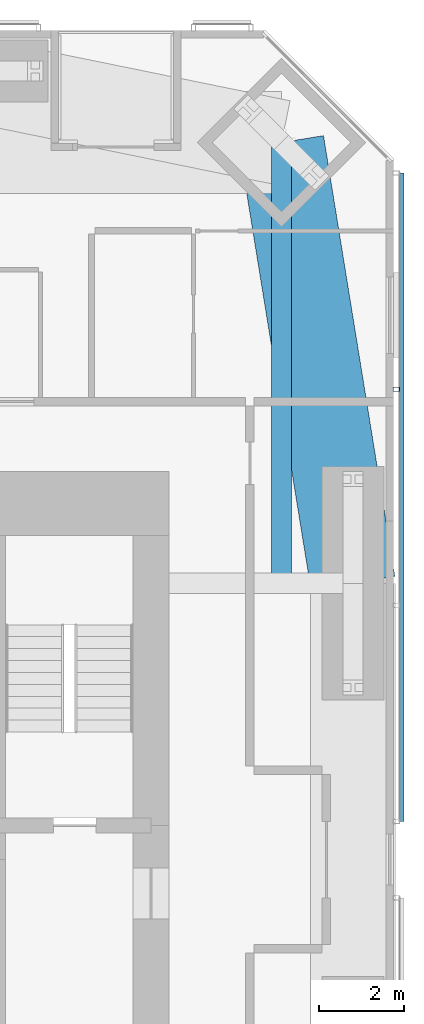
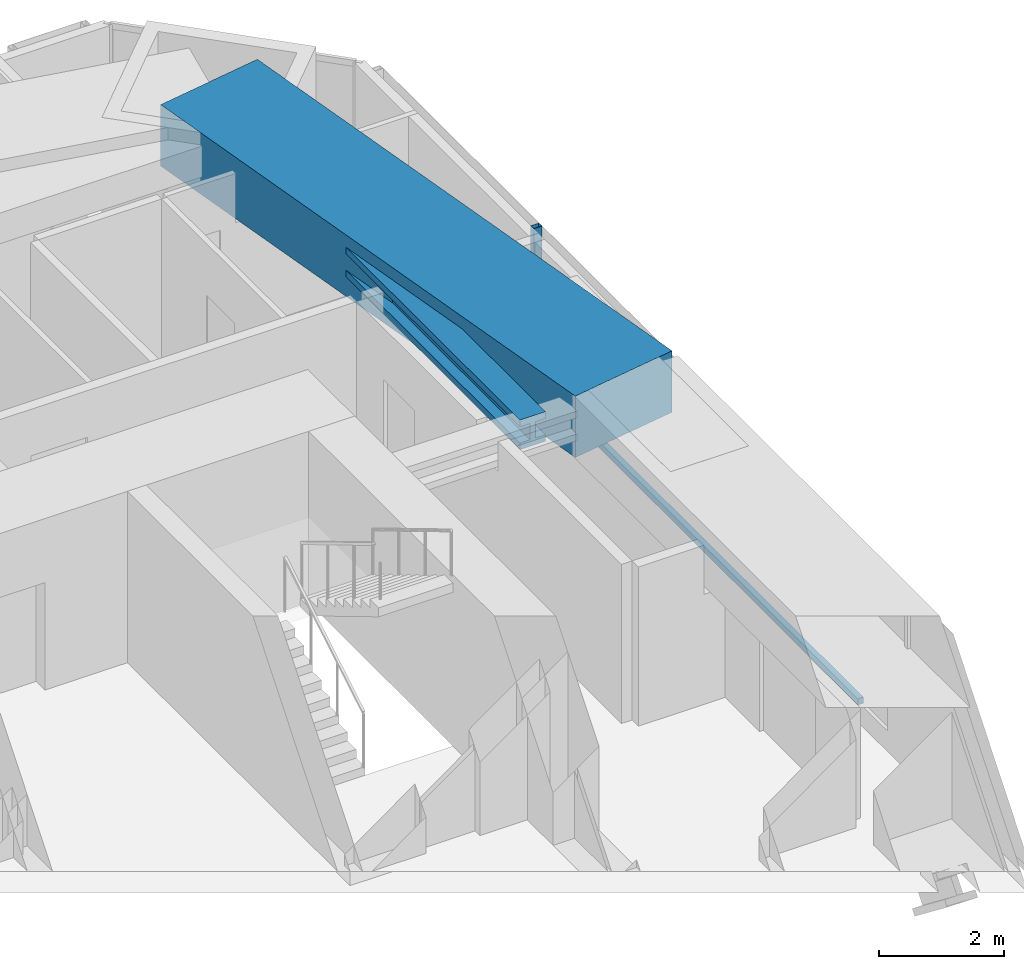
# One storey, part 10 of 23: 2 beams, 2 members, 1 element without a shape of its own.
"""IFC4 building model written with IfcOpenShell, lengths in metres."""

from ifc_helpers import new_model, si_unit, direction, frame, origin, origin_2d, place, context, subcontext, project, spatial, rectangle, hollow_rectangle, i_section, extrude, material, material_profile, profile_set, type_object, element, aggregate, save


model = new_model("IFC4")

# Units and contexts
model_context = context("Model", 3, precision=1e-05, world=origin(), true_north=direction((0.0, 1.0)))
body_context = subcontext(model_context, "Body", "Model", "MODEL_VIEW")
ifc_project = project(units=[si_unit("LENGTHUNIT", "METRE"), si_unit("AREAUNIT", "SQUARE_METRE"), si_unit("VOLUMEUNIT", "CUBIC_METRE"), si_unit("PLANEANGLEUNIT", "RADIAN"), si_unit("MASSUNIT", "GRAM", prefix="KILO")], contexts=[model_context])

# Site, building, storey
site_placement = place(None, origin())
site = spatial("IfcSite", under=ifc_project, at=site_placement, CompositionType="ELEMENT")
building_placement = place(site_placement, origin())
building = spatial("IfcBuilding", under=site, at=building_placement, Name="Jalousie Tower", CompositionType="ELEMENT")
storey_placement = place(building_placement, frame((0.0, 0.0, 84.75)))
storey = spatial("IfcBuildingStorey", under=building, at=storey_placement, Name="L22", CompositionType="ELEMENT", Elevation=84.75)

# Beams
ifc_material_1 = material(Name="Steel ASTM A992 Grade 50", Category="steel")
ifc_material_profile_1 = material_profile(ifc_material_1, i_section(OverallWidth=0.472412109375, OverallDepth=0.5791015625, WebThickness=0.094970703125, FlangeThickness=0.1298828125, at=origin_2d()), Name="W14X808")
ifc_profile_set_1 = profile_set([ifc_material_profile_1], Name="Steel ASTM A992 Grade 50")
beam_type_1 = type_object("IfcBeamType", Name="LEAN COLLECTOR W14X808", PredefinedType="BEAM", material=ifc_profile_set_1)
beam_1_placement = place(storey_placement, frame((46.86865234375, 35.36865234375, 2.8203125), z_axis=(0.0, -1.0, 0.0), x_axis=(1.0, 0.0, 0.0)))
element("IfcBeam", 1, at=beam_1_placement, inside=storey, type_object=beam_type_1, Name="Lean collector under L23", PredefinedType="BEAM", context=body_context, shape_type="SweptSolid", body=[
    extrude(i_section(OverallWidth=0.472412109375, OverallDepth=0.5791015625, WebThickness=0.094970703125, FlangeThickness=0.1298828125, at=origin_2d()), origin(), (0.0, 0.0, 1.0), 10.36865234375),
])
ifc_material_2 = material(Name="Concrete f'c 40 MPa", Category="concrete")
ifc_material_profile_2 = material_profile(ifc_material_2, rectangle(XDim=2.0, YDim=1.199951171875, at=origin_2d()), Name="RC 2000x1200")
ifc_profile_set_2 = profile_set([ifc_material_profile_2], Name="Concrete f'c 40 MPa")
beam_type_2 = type_object("IfcBeamType", Name="RC BEAM 2000x1200", PredefinedType="BEAM", material=ifc_profile_set_2)
beam_2_placement = place(storey_placement, frame((48.550048828125, 25.0, 2.75), z_axis=(-0.160070546476, 0.987105577003, 0.0), x_axis=(-0.987105577003, -0.160070546476, 0.0)))
element("IfcBeam", 2, at=beam_2_placement, inside=storey, type_object=beam_type_2, Name="Edge band beam 07-08 under L23", PredefinedType="BEAM", context=body_context, shape_type="SweptSolid", body=[
    extrude(rectangle(XDim=2.0, YDim=1.199951171875, at=origin_2d()), origin(), (0.0, 0.0, 1.0), 10.504150390625),
])

# Curtain wall, members
ifc_material_3 = material(Name="Perforated aluminium sheet", Category="aluminium")
curtain_wall_type = type_object("IfcCurtainWallType", Name="SOLAR SCREEN SS-1", PredefinedType="USERDEFINED", material=ifc_material_3)
curtain_wall_placement = place(storey_placement, origin())
curtain_wall = element("IfcCurtainWall", 3, at=curtain_wall_placement, inside=storey, type_object=curtain_wall_type, Name="Solar screen L22", ObjectType="SOLAR SCREEN SS-1", PredefinedType="USERDEFINED")
ifc_material_4 = material(Name="Steel ASTM A500 Grade C", Category="steel")
ifc_material_profile_3 = material_profile(ifc_material_4, hollow_rectangle(XDim=0.1015625, YDim=0.15234375, WallThickness=0.00634765625, at=origin_2d()), Name="HSS6X4X1/4")
ifc_profile_set_3 = profile_set([ifc_material_profile_3], Name="Steel ASTM A500 Grade C")
member_type_1 = type_object("IfcMemberType", Name="SOLAR SCREEN SS-1 MULLION", PredefinedType="MULLION", material=ifc_profile_set_3)
member_1_placement = place(storey_placement, frame((49.5712890625, 29.56591796875, -0.1201171875), z_axis=(0.0, 0.0, 1.0), x_axis=(0.0, 1.0, 0.0)))
member_1 = element("IfcMember", 4, at=member_1_placement, type_object=member_type_1, Name="SS1 post 3", PredefinedType="MULLION", context=body_context, shape_type="SweptSolid", body=[
    extrude(hollow_rectangle(XDim=0.1015625, YDim=0.15234375, WallThickness=0.00634765625, at=origin_2d()), origin(), (0.0, 0.0, 1.0), 3.230224609375),
])
ifc_material_5 = material(Name="Extruded aluminium screen rail", Category="aluminium")
ifc_material_profile_4 = material_profile(ifc_material_5, rectangle(XDim=0.1015625, YDim=0.1201171875, at=origin_2d()), Name="RAIL 102x120")
ifc_profile_set_4 = profile_set([ifc_material_profile_4], Name="Extruded aluminium screen rail")
member_type_2 = type_object("IfcMemberType", Name="SOLAR SCREEN SS-1 TRANSOM", PredefinedType="USERDEFINED", material=ifc_profile_set_4)
member_2_placement = place(storey_placement, frame((49.6982421875, 19.39990234375, -0.06005859375), z_axis=(0.0, 1.0, 0.0), x_axis=(-1.0, 0.0, 0.0)))
member_2 = element("IfcMember", 5, at=member_2_placement, type_object=member_type_2, Name="SS1 rail", ObjectType="TRANSOM", PredefinedType="USERDEFINED", context=body_context, shape_type="SweptSolid", body=[
    extrude(rectangle(XDim=0.1015625, YDim=0.1201171875, at=origin_2d()), origin(), (0.0, 0.0, 1.0), 15.248779296875),
])
aggregate(curtain_wall, [member_1, member_2])

save(model, "model.ifc")
